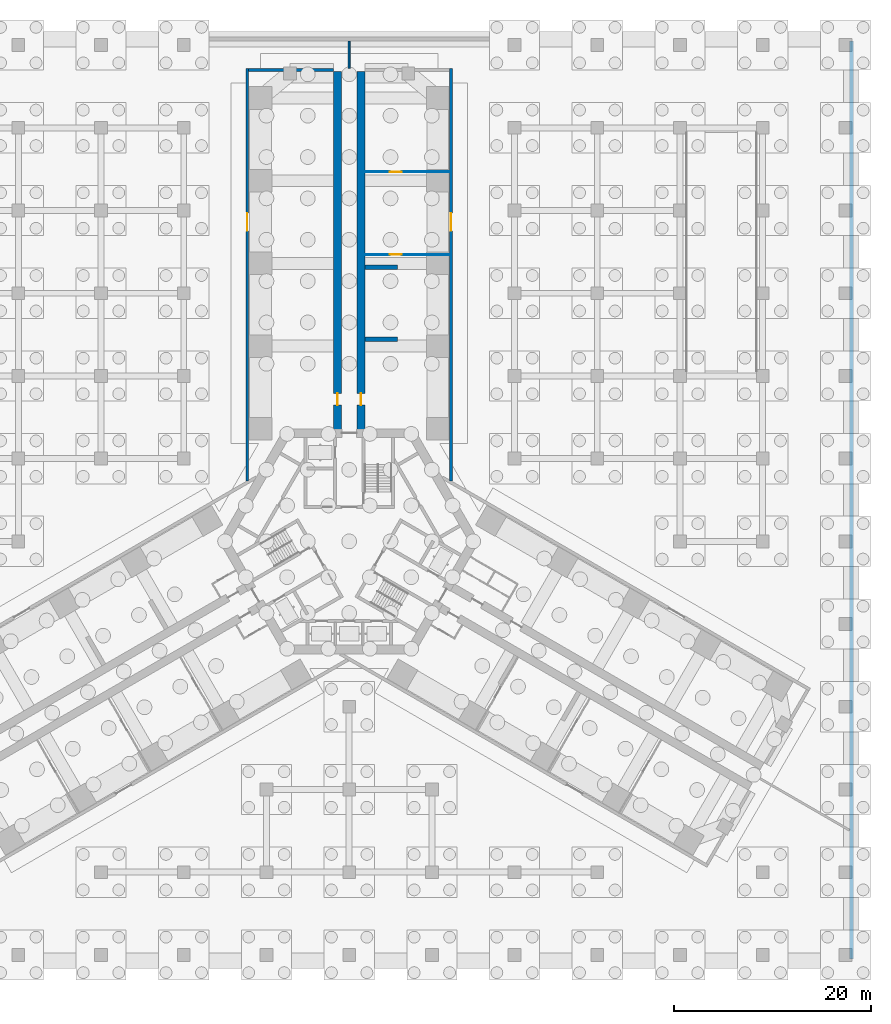
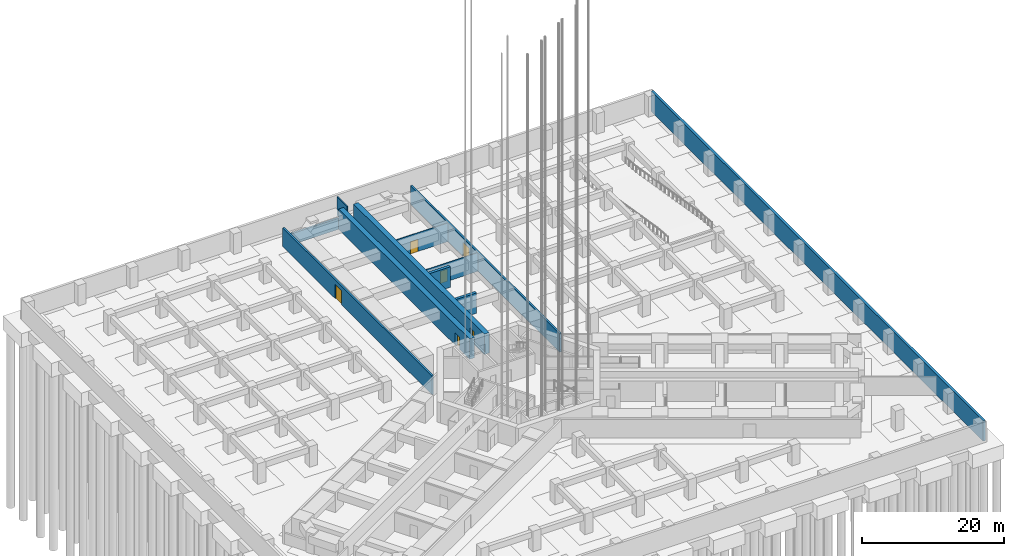
# One storey, part 58 of 73: 11 walls, 6 doors, 6 openings.
"""IFC4 building model written with IfcOpenShell, lengths in metres."""

from ifc_helpers import new_model, si_unit, direction, frame, frame_2d, origin, place, context, subcontext, project, spatial, rectangle, extrude, material, layer, layer_set, type_object, element, fill, save


model = new_model("IFC4")

# Units and contexts
model_context = context("Model", 3, precision=1e-05, world=origin(), true_north=direction((0.0, 1.0)))
body_context = subcontext(model_context, "Body", "Model", "MODEL_VIEW")
ifc_project = project(units=[si_unit("LENGTHUNIT", "METRE"), si_unit("AREAUNIT", "SQUARE_METRE"), si_unit("VOLUMEUNIT", "CUBIC_METRE"), si_unit("PLANEANGLEUNIT", "RADIAN"), si_unit("MASSUNIT", "GRAM", prefix="KILO")], contexts=[model_context])

# Site, building, storey
site_placement = place(None, origin())
site = spatial("IfcSite", under=ifc_project, at=site_placement, CompositionType="ELEMENT")
building_placement = place(site_placement, origin())
building = spatial("IfcBuilding", under=site, at=building_placement, Name="Impinga Residences", CompositionType="ELEMENT")
storey_placement = place(building_placement, frame((0.0, 0.0, -10.5)))
storey = spatial("IfcBuildingStorey", under=building, at=storey_placement, Name="B3", CompositionType="ELEMENT", Elevation=-10.5)

# Wall, opening, door
ifc_material_1 = material(Name="Concrete C70/85", Category="concrete")
ifc_layer_1 = layer(ifc_material_1, 0.800048828125)
ifc_layer_set_1 = layer_set([ifc_layer_1], Name="Concrete C70/85")
wall_type_1 = type_object("IfcWallType", Name="BW0 corridor buttress wall, B3 to L04 800", PredefinedType="SHEAR", material=ifc_layer_set_1)
wall_1_placement = place(storey_placement, frame((-1.199951171875, 10.9814453125, 0.0), z_axis=(0.0, 0.0, 1.0), x_axis=(0.0, 1.0, 0.0)))
wall_1 = element("IfcWall", 1, at=wall_1_placement, inside=storey, type_object=wall_type_1, Name="Corridor wall BW0 NC B3", PredefinedType="SHEAR", context=body_context, shape_type="SweptSolid", body=[
    extrude(rectangle(XDim=36.75, YDim=0.800048828125, at=frame_2d((18.375, 0.0))), origin(), (0.0, 0.0, 1.0), 3.5),
])
opening_1_placement = place(wall_1_placement, frame((2.85009765625, 0.0, 0.0)))
opening_1 = element("IfcOpeningElement", 2, at=opening_1_placement, cuts=wall_1, Name="Opening D3", PredefinedType="OPENING", context=body_context, shape_type="SweptSolid", body=[
    extrude(rectangle(XDim=1.199951171875, YDim=2.10009765625, at=frame_2d((0.60009765625, 1.050048828125))), frame((0.0, 0.409912109375, 0.0), z_axis=(0.0, -1.0, 0.0), x_axis=(1.0, 0.0, 0.0)), (0.0, 0.0, 1.0), 0.820068359375),
])
ifc_material_2 = material(Name="Timber door set", Category="wood")
door_type_1 = type_object("IfcDoorType", Name="D3 room door, leaf and a half 1200x2100", OperationType="DOUBLE_SWING_LEFT", PredefinedType="DOOR", material=ifc_material_2)
door_1_placement = place(opening_1_placement, origin())
door_1 = element("IfcDoor", 3, at=door_1_placement, inside=storey, type_object=door_type_1, Name="Water tank room door B3-NA1", OperationType="DOUBLE_SWING_LEFT", OverallHeight=2.10009765625, OverallWidth=1.199951171875, PredefinedType="DOOR", context=body_context, shape_type="SweptSolid", body=[
    extrude(rectangle(XDim=1.199951171875, YDim=2.10009765625, at=frame_2d((0.60009765625, 1.050048828125))), frame((0.0, 0.02490234375, 0.0), z_axis=(0.0, -1.0, 0.0), x_axis=(1.0, 0.0, 0.0)), (0.0, 0.0, 1.0), 0.050048828125),
])
fill(opening_1, door_1)

wall_2_placement = place(storey_placement, frame((1.199951171875, 10.9814453125, 0.0), z_axis=(0.0, 0.0, 1.0), x_axis=(0.0, 1.0, 0.0)))
wall_2 = element("IfcWall", 4, at=wall_2_placement, inside=storey, type_object=wall_type_1, Name="Corridor wall BW0 ND B3", PredefinedType="SHEAR", context=body_context, shape_type="SweptSolid", body=[
    extrude(rectangle(XDim=36.75, YDim=0.800048828125, at=frame_2d((18.375, 0.0))), origin(), (0.0, 0.0, 1.0), 3.5),
])
opening_2_placement = place(wall_2_placement, frame((2.85009765625, 0.0, 0.0)))
opening_2 = element("IfcOpeningElement", 5, at=opening_2_placement, cuts=wall_2, Name="Opening D3", PredefinedType="OPENING", context=body_context, shape_type="SweptSolid", body=[
    extrude(rectangle(XDim=1.199951171875, YDim=2.10009765625, at=frame_2d((0.60009765625, 1.050048828125))), frame((0.0, 0.409912109375, 0.0), z_axis=(0.0, -1.0, 0.0), x_axis=(1.0, 0.0, 0.0)), (0.0, 0.0, 1.0), 0.820068359375),
])
door_2_placement = place(opening_2_placement, origin())
door_2 = element("IfcDoor", 6, at=door_2_placement, inside=storey, type_object=door_type_1, Name="Pump room door B3-NF1", OperationType="DOUBLE_SWING_LEFT", OverallHeight=2.10009765625, OverallWidth=1.199951171875, PredefinedType="DOOR", context=body_context, shape_type="SweptSolid", body=[
    extrude(rectangle(XDim=1.199951171875, YDim=2.10009765625, at=frame_2d((0.60009765625, 1.050048828125))), frame((0.0, 0.02490234375, 0.0), z_axis=(0.0, -1.0, 0.0), x_axis=(1.0, 0.0, 0.0)), (0.0, 0.0, 1.0), 0.050048828125),
])
fill(opening_2, door_2)

ifc_material_3 = material(Name="Concrete blockwork", Category="masonry")
ifc_layer_2 = layer(ifc_material_3, 0.10009765625)
ifc_layer_set_2 = layer_set([ifc_layer_2], Name="CP1 core room partition, blockwork 100")
wall_type_2 = type_object("IfcWallType", Name="CP1 core room partition, blockwork 100", PredefinedType="PARTITIONING", material=ifc_layer_set_2)
wall_3_placement = place(storey_placement, frame((1.60009765625, 29.131591796875, 0.0), z_axis=(0.0, 0.0, 1.0), x_axis=(1.0, 0.0, 0.0)))
wall_3 = element("IfcWall", 7, at=wall_3_placement, inside=storey, type_object=wall_type_2, Name="Core room partition, blockwork B3-NF1:PS1", PredefinedType="PARTITIONING", context=body_context, shape_type="SweptSolid", body=[
    extrude(rectangle(XDim=8.599853515625, YDim=0.10009765625, at=frame_2d((4.2998046875, 0.0))), origin(), (0.0, 0.0, 1.0), 3.199951171875),
])
opening_3_placement = place(wall_3_placement, frame((2.52490234375, 0.0, 0.0)))
opening_3 = element("IfcOpeningElement", 8, at=opening_3_placement, cuts=wall_3, Name="Opening D3", PredefinedType="OPENING", context=body_context, shape_type="SweptSolid", body=[
    extrude(rectangle(XDim=1.199951171875, YDim=2.10009765625, at=frame_2d((0.60009765625, 1.050048828125))), frame((0.0, 0.06005859375, 0.0), z_axis=(0.0, -1.0, 0.0), x_axis=(1.0, 0.0, 0.0)), (0.0, 0.0, 1.0), 0.1201171875),
])
door_3_placement = place(opening_3_placement, origin())
door_3 = element("IfcDoor", 9, at=door_3_placement, inside=storey, type_object=door_type_1, Name="Booster pump room door B3-NF1", OperationType="DOUBLE_SWING_LEFT", OverallHeight=2.10009765625, OverallWidth=1.199951171875, PredefinedType="DOOR", context=body_context, shape_type="SweptSolid", body=[
    extrude(rectangle(XDim=1.199951171875, YDim=2.10009765625, at=frame_2d((0.60009765625, 1.050048828125))), frame((0.0, 0.02490234375, 0.0), z_axis=(0.0, -1.0, 0.0), x_axis=(1.0, 0.0, 0.0)), (0.0, 0.0, 1.0), 0.050048828125),
])
fill(opening_3, door_3)

wall_4_placement = place(storey_placement, frame((1.60009765625, 37.531494140625, 0.0), z_axis=(0.0, 0.0, 1.0), x_axis=(1.0, 0.0, 0.0)))
wall_4 = element("IfcWall", 10, at=wall_4_placement, inside=storey, type_object=wall_type_2, Name="Core room partition, blockwork B3-NF1:PS2", PredefinedType="PARTITIONING", context=body_context, shape_type="SweptSolid", body=[
    extrude(rectangle(XDim=8.599853515625, YDim=0.10009765625, at=frame_2d((4.2998046875, 0.0))), origin(), (0.0, 0.0, 1.0), 3.199951171875),
])
opening_4_placement = place(wall_4_placement, frame((2.52490234375, 0.0, 0.0)))
opening_4 = element("IfcOpeningElement", 11, at=opening_4_placement, cuts=wall_4, Name="Opening D3", PredefinedType="OPENING", context=body_context, shape_type="SweptSolid", body=[
    extrude(rectangle(XDim=1.199951171875, YDim=2.10009765625, at=frame_2d((0.60009765625, 1.050048828125))), frame((0.0, 0.06005859375, 0.0), z_axis=(0.0, -1.0, 0.0), x_axis=(1.0, 0.0, 0.0)), (0.0, 0.0, 1.0), 0.1201171875),
])
door_4_placement = place(opening_4_placement, origin())
door_4 = element("IfcDoor", 12, at=door_4_placement, inside=storey, type_object=door_type_1, Name="Sprinkler valve room door B3-NF1", OperationType="DOUBLE_SWING_LEFT", OverallHeight=2.10009765625, OverallWidth=1.199951171875, PredefinedType="DOOR", context=body_context, shape_type="SweptSolid", body=[
    extrude(rectangle(XDim=1.199951171875, YDim=2.10009765625, at=frame_2d((0.60009765625, 1.050048828125))), frame((0.0, 0.02490234375, 0.0), z_axis=(0.0, -1.0, 0.0), x_axis=(1.0, 0.0, 0.0)), (0.0, 0.0, 1.0), 0.050048828125),
])
fill(opening_4, door_4)

# Walls
ifc_layer_3 = layer(ifc_material_3, 0.199951171875)
ifc_layer_set_3 = layer_set([ifc_layer_3], Name="PW2 podium compartment wall 200")
wall_type_3 = type_object("IfcWallType", Name="PW2 podium compartment wall 200", PredefinedType="SOLIDWALL", material=ifc_layer_set_3)
wall_5_placement = place(storey_placement, frame((0.0, 48.031494140625, 0.0), z_axis=(0.0, 0.0, 1.0), x_axis=(0.0, 1.0, 0.0)))
element("IfcWall", 13, at=wall_5_placement, inside=storey, type_object=wall_type_3, Name="Podium compartment wall B3:REG:N", PredefinedType="SOLIDWALL", context=body_context, shape_type="SweptSolid", body=[
    extrude(rectangle(XDim=2.7685546875, YDim=0.199951171875, at=frame_2d((1.38427734375, 0.0))), origin(), (0.0, 0.0, 1.0), 3.199951171875),
])
ifc_layer_4 = layer(ifc_material_3, 0.300048828125)
ifc_layer_set_4 = layer_set([ifc_layer_4], Name="PW3 podium wall on the wing face 300")
wall_type_4 = type_object("IfcWallType", Name="PW3 podium wall on the wing face 300", PredefinedType="SOLIDWALL", material=ifc_layer_set_4)
wall_6_placement = place(storey_placement, frame((-1.60009765625, 47.881591796875, 0.0), z_axis=(0.0, 0.0, 1.0), x_axis=(-1.0, 0.0, 0.0)))
element("IfcWall", 14, at=wall_6_placement, inside=storey, type_object=wall_type_4, Name="Podium wall on the wing face B3:END:NA", PredefinedType="SOLIDWALL", context=body_context, shape_type="SweptSolid", body=[
    extrude(rectangle(XDim=8.599853515625, YDim=0.300048828125, at=frame_2d((4.2998046875, 0.0))), origin(), (0.0, 0.0, 1.0), 1.89990234375),
])

# Wall, opening, door
wall_7_placement = place(storey_placement, frame((-10.35009765625, 6.148681640625, 0.0), z_axis=(0.0, 0.0, 1.0), x_axis=(0.0, 1.0, 0.0)))
wall_7 = element("IfcWall", 15, at=wall_7_placement, inside=storey, type_object=wall_type_4, Name="Podium wall on the wing face B3:SIDE:NA0", PredefinedType="SOLIDWALL", context=body_context, shape_type="SweptSolid", body=[
    extrude(rectangle(XDim=41.8828125, YDim=0.300048828125, at=frame_2d((20.94140625, 0.0))), origin(), (0.0, 0.0, 1.0), 3.199951171875),
])
opening_5_placement = place(wall_7_placement, frame((25.3828125, 0.0, 0.0)))
opening_5 = element("IfcOpeningElement", 16, at=opening_5_placement, cuts=wall_7, Name="Opening D7", PredefinedType="OPENING", context=body_context, shape_type="SweptSolid", body=[
    extrude(rectangle(XDim=1.800048828125, YDim=2.39990234375, at=frame_2d((0.89990234375, 1.199951171875))), frame((0.0, 0.159912109375, 0.0), z_axis=(0.0, -1.0, 0.0), x_axis=(1.0, 0.0, 0.0)), (0.0, 0.0, 1.0), 0.320068359375),
])
door_type_2 = type_object("IfcDoorType", Name="D7 podium door pair 1800x2400", OperationType="DOUBLE_DOOR_DOUBLE_SWING", PredefinedType="DOOR", material=ifc_material_2)
door_5_placement = place(opening_5_placement, origin())
door_5 = element("IfcDoor", 17, at=door_5_placement, inside=storey, type_object=door_type_2, Name="Double door NA", OperationType="DOUBLE_DOOR_DOUBLE_SWING", OverallHeight=2.39990234375, OverallWidth=1.800048828125, PredefinedType="DOOR", context=body_context, shape_type="SweptSolid", body=[
    extrude(rectangle(XDim=1.800048828125, YDim=2.39990234375, at=frame_2d((0.89990234375, 1.199951171875))), frame((0.0, 0.02490234375, 0.0), z_axis=(0.0, -1.0, 0.0), x_axis=(1.0, 0.0, 0.0)), (0.0, 0.0, 1.0), 0.050048828125),
])
fill(opening_5, door_5)

wall_8_placement = place(storey_placement, frame((10.35009765625, 6.148681640625, 0.0), z_axis=(0.0, 0.0, 1.0), x_axis=(0.0, 1.0, 0.0)))
wall_8 = element("IfcWall", 18, at=wall_8_placement, inside=storey, type_object=wall_type_4, Name="Podium wall on the wing face B3:SIDE:NF0", PredefinedType="SOLIDWALL", context=body_context, shape_type="SweptSolid", body=[
    extrude(rectangle(XDim=41.8828125, YDim=0.300048828125, at=frame_2d((20.94140625, 0.0))), origin(), (0.0, 0.0, 1.0), 3.199951171875),
])
opening_6_placement = place(wall_8_placement, frame((25.3828125, 0.0, 0.0)))
opening_6 = element("IfcOpeningElement", 19, at=opening_6_placement, cuts=wall_8, Name="Opening D7", PredefinedType="OPENING", context=body_context, shape_type="SweptSolid", body=[
    extrude(rectangle(XDim=1.800048828125, YDim=2.39990234375, at=frame_2d((0.89990234375, 1.199951171875))), frame((0.0, 0.159912109375, 0.0), z_axis=(0.0, -1.0, 0.0), x_axis=(1.0, 0.0, 0.0)), (0.0, 0.0, 1.0), 0.320068359375),
])
door_6_placement = place(opening_6_placement, origin())
door_6 = element("IfcDoor", 20, at=door_6_placement, inside=storey, type_object=door_type_2, Name="Double door NF", OperationType="DOUBLE_DOOR_DOUBLE_SWING", OverallHeight=2.39990234375, OverallWidth=1.800048828125, PredefinedType="DOOR", context=body_context, shape_type="SweptSolid", body=[
    extrude(rectangle(XDim=1.800048828125, YDim=2.39990234375, at=frame_2d((0.89990234375, 1.199951171875))), frame((0.0, 0.02490234375, 0.0), z_axis=(0.0, -1.0, 0.0), x_axis=(1.0, 0.0, 0.0)), (0.0, 0.0, 1.0), 0.050048828125),
])
fill(opening_6, door_6)

# Walls
ifc_material_4 = material(Name="Concrete C60/75", Category="concrete")
ifc_layer_5 = layer(ifc_material_4, 0.39990234375)
ifc_layer_set_5 = layer_set([ifc_layer_5], Name="Concrete C60/75")
wall_type_5 = type_object("IfcWallType", Name="RW1 basement retaining wall 400", PredefinedType="USERDEFINED", material=ifc_layer_set_5)
wall_9_placement = place(storey_placement, frame((51.0, -42.39990234375, 0.0), z_axis=(0.0, 0.0, 1.0), x_axis=(0.0, 1.0, 0.0)))
element("IfcWall", 21, at=wall_9_placement, inside=storey, type_object=wall_type_5, Name="Retaining wall RW1 E B3", ObjectType="RETAINING WALL", PredefinedType="USERDEFINED", context=body_context, shape_type="SweptSolid", body=[
    extrude(rectangle(XDim=93.199951171875, YDim=0.39990234375, at=frame_2d((46.60009765625, 0.0))), origin(), (0.0, 0.0, 1.0), 3.5),
])
ifc_layer_6 = layer(ifc_material_4, 0.449951171875)
ifc_layer_set_6 = layer_set([ifc_layer_6], Name="Concrete C60/75")
wall_type_6 = type_object("IfcWallType", Name="SE3 wing stair end wall carried down to the raft, basements 450", PredefinedType="SOLIDWALL", material=ifc_layer_set_6)
for number, where, z_axis, x_axis, name in (
    (22, (1.60009765625, 20.506591796875, 0.0), (0.0, 0.0, 1.0), (1.0, 0.0, 0.0), "Stair enclosure wall SE3 N END0 B3"),
    (23, (1.60009765625, 27.8564453125, 0.0), (0.0, 0.0, 1.0), (1.0, 0.0, 0.0), "Stair enclosure wall SE3 N END1 B3"),
):
    element("IfcWall", number, at=place(storey_placement, frame(where, z_axis=z_axis, x_axis=x_axis)), inside=storey, type_object=wall_type_6, Name=name, PredefinedType="SOLIDWALL", context=body_context, shape_type="SweptSolid", body=[
        extrude(rectangle(XDim=3.2998046875, YDim=0.449951171875, at=frame_2d((1.64990234375, 0.0))), origin(), (0.0, 0.0, 1.0), 3.5),
    ])

save(model, "model.ifc")
